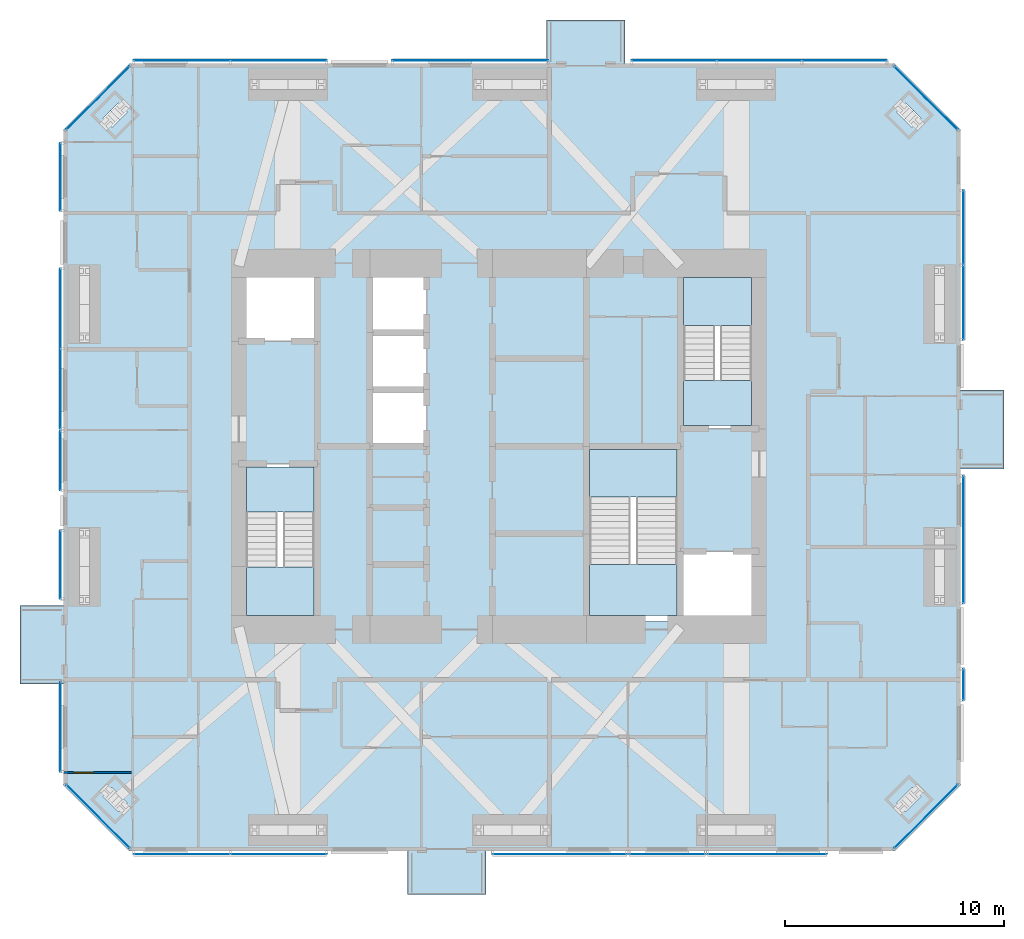
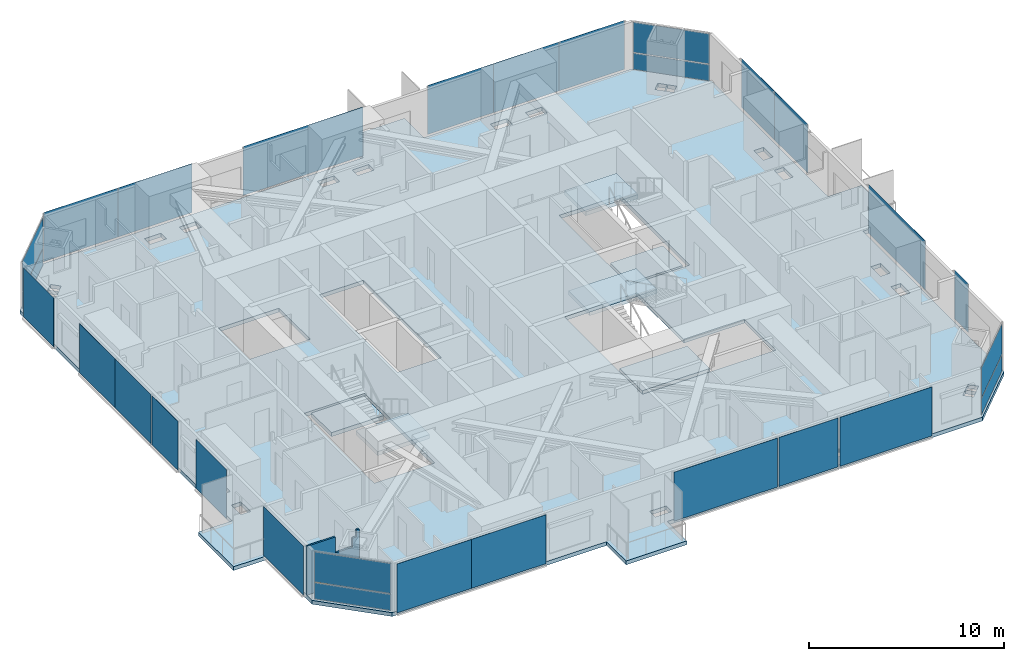
# One storey, part 14 of 22: 29 plates, 7 slabs, 1 door, 1 wall, 1 opening, 22 elements without a shape of their own.
"""IFC4 building model written with IfcOpenShell, lengths in metres."""

from ifc_helpers import new_model, si_unit, direction, frame, frame_2d, origin, origin_2d, place, context, subcontext, project, spatial, polyline, rectangle, outline, extrude, material, layer, layer_set, constituent, constituent_set, type_object, element, fill, aggregate, save


model = new_model("IFC4")

# Units and contexts
model_context = context("Model", 3, precision=1e-05, world=origin(), true_north=direction((0.0, 1.0)))
body_context = subcontext(model_context, "Body", "Model", "MODEL_VIEW")
ifc_project = project(units=[si_unit("LENGTHUNIT", "METRE"), si_unit("AREAUNIT", "SQUARE_METRE"), si_unit("VOLUMEUNIT", "CUBIC_METRE"), si_unit("PLANEANGLEUNIT", "RADIAN"), si_unit("MASSUNIT", "GRAM", prefix="KILO")], contexts=[model_context])

# Site, building, storey
site_placement = place(None, origin())
site = spatial("IfcSite", under=ifc_project, at=site_placement, CompositionType="ELEMENT")
building_placement = place(site_placement, origin())
building = spatial("IfcBuilding", under=site, at=building_placement, Name="Jalousie Tower", CompositionType="ELEMENT")
storey_placement = place(building_placement, frame((0.0, 0.0, 204.60009765625)))
storey = spatial("IfcBuildingStorey", under=building, at=storey_placement, Name="L56", CompositionType="ELEMENT", Elevation=204.60009765625)

# Curtain wall, plates
ifc_material_1 = material(Name="Aluminium curtain wall", Category="aluminium")
curtain_wall_type_1 = type_object("IfcCurtainWallType", Name="CORNER WINDOW WALL", PredefinedType="USERDEFINED", material=ifc_material_1)
curtain_wall_1_placement = place(storey_placement, origin())
curtain_wall_1 = element("IfcCurtainWall", 1, at=curtain_wall_1_placement, inside=storey, type_object=curtain_wall_type_1, Name="Corner Window Wall L56 2", ObjectType="CORNER WINDOW WALL", PredefinedType="USERDEFINED")
ifc_material_2 = material(Name="Laminated impact-rated spandrel glass", Category="glass")
ifc_layer_1 = layer(ifc_material_2, 0.028076171875)
ifc_layer_set_1 = layer_set([ifc_layer_1], Name="Laminated impact-rated spandrel glass")
plate_type_1 = type_object("IfcPlateType", Name="CORNER WINDOW WALL PANEL", PredefinedType="CURTAIN_PANEL", material=ifc_layer_set_1)
plate_1_placement = place(storey_placement, frame((51.4306640625, 1.5693359375, 0.06005859375), z_axis=(0.0, 0.0, 1.0), x_axis=(0.707106781187, 0.707106781187, 0.0)))
plate_1 = element("IfcPlate", 2, at=plate_1_placement, type_object=plate_type_1, Name="CW-C panel 1.1", PredefinedType="CURTAIN_PANEL", context=body_context, shape_type="SweptSolid", body=[
    extrude(rectangle(XDim=4.071533203125, YDim=0.028076171875, at=origin_2d()), origin(), (0.0, 0.0, 1.0), 1.010009765625),
])
plate_2_placement = place(storey_placement, frame((51.4306640625, 1.5693359375, 1.1298828125), z_axis=(0.0, 0.0, 1.0), x_axis=(0.707106781187, 0.707106781187, 0.0)))
plate_2 = element("IfcPlate", 3, at=plate_2_placement, type_object=plate_type_1, Name="CW-C panel 1.2", PredefinedType="CURTAIN_PANEL", context=body_context, shape_type="SweptSolid", body=[
    extrude(rectangle(XDim=4.071533203125, YDim=0.028076171875, at=origin_2d()), origin(), (0.0, 0.0, 1.0), 1.8798828125),
])
aggregate(curtain_wall_1, [plate_1, plate_2])

curtain_wall_2_placement = place(storey_placement, origin())
curtain_wall_2 = element("IfcCurtainWall", 4, at=curtain_wall_2_placement, inside=storey, type_object=curtain_wall_type_1, Name="Corner Window Wall L56 4", ObjectType="CORNER WINDOW WALL", PredefinedType="USERDEFINED")
plate_3_placement = place(storey_placement, frame((51.4306640625, 34.4306640625, 0.06005859375), z_axis=(0.0, 0.0, 1.0), x_axis=(-0.707106781187, 0.707106781187, 0.0)))
plate_3 = element("IfcPlate", 5, at=plate_3_placement, type_object=plate_type_1, Name="CW-C panel 1.1", PredefinedType="CURTAIN_PANEL", context=body_context, shape_type="SweptSolid", body=[
    extrude(rectangle(XDim=4.071533203125, YDim=0.028076171875, at=origin_2d()), origin(), (0.0, 0.0, 1.0), 1.010009765625),
])
plate_4_placement = place(storey_placement, frame((51.4306640625, 34.4306640625, 1.1298828125), z_axis=(0.0, 0.0, 1.0), x_axis=(-0.707106781187, 0.707106781187, 0.0)))
plate_4 = element("IfcPlate", 6, at=plate_4_placement, type_object=plate_type_1, Name="CW-C panel 1.2", PredefinedType="CURTAIN_PANEL", context=body_context, shape_type="SweptSolid", body=[
    extrude(rectangle(XDim=4.071533203125, YDim=0.028076171875, at=origin_2d()), origin(), (0.0, 0.0, 1.0), 1.8798828125),
])
aggregate(curtain_wall_2, [plate_3, plate_4])

curtain_wall_3_placement = place(storey_placement, origin())
curtain_wall_3 = element("IfcCurtainWall", 7, at=curtain_wall_3_placement, inside=storey, type_object=curtain_wall_type_1, Name="Corner Window Wall L56 6", ObjectType="CORNER WINDOW WALL", PredefinedType="USERDEFINED")
plate_5_placement = place(storey_placement, frame((13.5693359375, 34.4306640625, 0.06005859375), z_axis=(0.0, 0.0, 1.0), x_axis=(-0.707106781187, -0.707106781187, 0.0)))
plate_5 = element("IfcPlate", 8, at=plate_5_placement, type_object=plate_type_1, Name="CW-C panel 1.1", PredefinedType="CURTAIN_PANEL", context=body_context, shape_type="SweptSolid", body=[
    extrude(rectangle(XDim=4.071533203125, YDim=0.028076171875, at=origin_2d()), origin(), (0.0, 0.0, 1.0), 1.010009765625),
])
plate_6_placement = place(storey_placement, frame((13.5693359375, 34.4306640625, 1.1298828125), z_axis=(0.0, 0.0, 1.0), x_axis=(-0.707106781187, -0.707106781187, 0.0)))
plate_6 = element("IfcPlate", 9, at=plate_6_placement, type_object=plate_type_1, Name="CW-C panel 1.2", PredefinedType="CURTAIN_PANEL", context=body_context, shape_type="SweptSolid", body=[
    extrude(rectangle(XDim=4.071533203125, YDim=0.028076171875, at=origin_2d()), origin(), (0.0, 0.0, 1.0), 1.8798828125),
])
aggregate(curtain_wall_3, [plate_5, plate_6])

curtain_wall_4_placement = place(storey_placement, origin())
curtain_wall_4 = element("IfcCurtainWall", 10, at=curtain_wall_4_placement, inside=storey, type_object=curtain_wall_type_1, Name="Corner Window Wall L56 8", ObjectType="CORNER WINDOW WALL", PredefinedType="USERDEFINED")
plate_7_placement = place(storey_placement, frame((13.5693359375, 1.5693359375, 0.06005859375), z_axis=(0.0, 0.0, 1.0), x_axis=(0.707106781187, -0.707106781187, 0.0)))
plate_7 = element("IfcPlate", 11, at=plate_7_placement, type_object=plate_type_1, Name="CW-C panel 1.1", PredefinedType="CURTAIN_PANEL", context=body_context, shape_type="SweptSolid", body=[
    extrude(rectangle(XDim=4.071533203125, YDim=0.028076171875, at=origin_2d()), origin(), (0.0, 0.0, 1.0), 1.010009765625),
])
plate_8_placement = place(storey_placement, frame((13.5693359375, 1.5693359375, 1.1298828125), z_axis=(0.0, 0.0, 1.0), x_axis=(0.707106781187, -0.707106781187, 0.0)))
plate_8 = element("IfcPlate", 12, at=plate_8_placement, type_object=plate_type_1, Name="CW-C panel 1.2", PredefinedType="CURTAIN_PANEL", context=body_context, shape_type="SweptSolid", body=[
    extrude(rectangle(XDim=4.071533203125, YDim=0.028076171875, at=origin_2d()), origin(), (0.0, 0.0, 1.0), 1.8798828125),
])
aggregate(curtain_wall_4, [plate_7, plate_8])

# Slab
ifc_material_3 = material(Name="Concrete f'c 40 MPa", Category="concrete")
ifc_layer_2 = layer(ifc_material_3, 0.239990234375)
ifc_layer_set_2 = layer_set([ifc_layer_2], Name="Concrete f'c 40 MPa")
slab_type_1 = type_object("IfcSlabType", Name="FLOOR SLAB 240", PredefinedType="FLOOR", material=ifc_layer_set_2)
slab_1_placement = place(storey_placement, frame((0.0, 0.0, -0.239990234375)))
element("IfcSlab", 13, at=slab_1_placement, inside=storey, type_object=slab_type_1, Name="L56 floor slab", PredefinedType="FLOOR", context=body_context, shape_type="SweptSolid", body=[
    extrude(outline(polyline([(34.074951171875, 36.0), (34.074951171875, 38.0), (37.675048828125, 38.0), (37.675048828125, 36.0), (50.0, 36.0), (53.0, 33.0), (53.0, 21.074951171875), (55.0, 21.074951171875), (55.0, 17.47509765625), (53.0, 17.47509765625), (53.0, 3.0), (50.0, 0.0), (31.3125, 0.0), (31.3125, -2.0), (27.71240234375, -2.0), (27.71240234375, 0.0), (15.0, 0.0), (12.0, 3.0), (12.0, 7.625), (10.0, 7.625), (10.0, 11.22509765625), (12.0, 11.22509765625), (12.0, 33.0), (15.0, 36.0), (34.074951171875, 36.0)]), holes=[polyline([(52.336181640625, 25.54150390625), (52.336181640625, 26.52490234375), (51.763916015625, 26.52490234375), (51.763916015625, 25.54150390625), (52.336181640625, 25.54150390625)]), polyline([(51.763916015625, 23.47509765625), (52.336181640625, 23.47509765625), (52.336181640625, 24.45849609375), (51.763916015625, 24.45849609375), (51.763916015625, 23.47509765625)]), polyline([(51.763916015625, 13.54150390625), (52.336181640625, 13.54150390625), (52.336181640625, 14.52490234375), (51.763916015625, 14.52490234375), (51.763916015625, 13.54150390625)]), polyline([(51.763916015625, 11.47509765625), (52.336181640625, 11.47509765625), (52.336181640625, 12.45849609375), (51.763916015625, 12.45849609375), (51.763916015625, 11.47509765625)]), polyline([(50.856689453125, 33.851318359375), (50.451904296875, 33.446533203125), (50.802490234375, 33.095703125), (51.20751953125, 33.500244140625), (50.856689453125, 33.851318359375)]), polyline([(50.802490234375, 2.904296875), (50.451904296875, 2.553466796875), (50.856689453125, 2.148681640625), (51.20751953125, 2.499755859375), (50.802490234375, 2.904296875)]), polyline([(50.500244140625, 1.79248046875), (50.851318359375, 2.143310546875), (50.446533203125, 2.548095703125), (50.095703125, 2.197509765625), (50.500244140625, 1.79248046875)]), polyline([(50.446533203125, 33.451904296875), (50.851318359375, 33.856689453125), (50.500244140625, 34.20751953125), (50.095703125, 33.802490234375), (50.446533203125, 33.451904296875)]), polyline([(44.27490234375, 35.336181640625), (43.29150390625, 35.336181640625), (43.29150390625, 34.763916015625), (44.27490234375, 34.763916015625), (44.27490234375, 35.336181640625)]), polyline([(44.27490234375, 1.236083984375), (43.29150390625, 1.236083984375), (43.29150390625, 0.663818359375), (44.27490234375, 0.663818359375), (44.27490234375, 1.236083984375)]), polyline([(40.199951171875, 19.300048828125), (43.800048828125, 19.300048828125), (43.800048828125, 26.5), (40.199951171875, 26.5), (40.199951171875, 19.300048828125)]), polyline([(35.89990234375, 18.5), (35.89990234375, 10.5), (43.800048828125, 10.5), (43.800048828125, 13.699951171875), (40.199951171875, 13.699951171875), (40.199951171875, 18.5), (35.89990234375, 18.5)]), polyline([(42.20849609375, 34.763916015625), (42.20849609375, 35.336181640625), (41.22509765625, 35.336181640625), (41.22509765625, 34.763916015625), (42.20849609375, 34.763916015625)]), polyline([(41.22509765625, 0.663818359375), (42.20849609375, 0.663818359375), (42.20849609375, 1.236083984375), (41.22509765625, 1.236083984375), (41.22509765625, 0.663818359375)]), polyline([(33.04150390625, 35.336181640625), (33.04150390625, 34.763916015625), (34.02490234375, 34.763916015625), (34.02490234375, 35.336181640625), (33.04150390625, 35.336181640625)]), polyline([(33.04150390625, 1.236083984375), (33.04150390625, 0.663818359375), (34.02490234375, 0.663818359375), (34.02490234375, 1.236083984375), (33.04150390625, 1.236083984375)]), polyline([(31.95849609375, 34.763916015625), (31.95849609375, 35.336181640625), (30.97509765625, 35.336181640625), (30.97509765625, 34.763916015625), (31.95849609375, 34.763916015625)]), polyline([(31.95849609375, 0.663818359375), (31.95849609375, 1.236083984375), (30.97509765625, 1.236083984375), (30.97509765625, 0.663818359375), (31.95849609375, 0.663818359375)]), polyline([(28.60009765625, 18.5), (28.60009765625, 26.5), (26.0, 26.5), (26.0, 18.5), (28.60009765625, 18.5)]), polyline([(22.79150390625, 1.236083984375), (22.79150390625, 0.663818359375), (23.77490234375, 0.663818359375), (23.77490234375, 1.236083984375), (22.79150390625, 1.236083984375)]), polyline([(23.77490234375, 34.763916015625), (23.77490234375, 35.336181640625), (22.79150390625, 35.336181640625), (22.79150390625, 34.763916015625), (23.77490234375, 34.763916015625)]), polyline([(20.0, 23.300048828125), (23.60009765625, 23.300048828125), (23.60009765625, 26.5), (20.0, 26.5), (20.0, 23.300048828125)]), polyline([(20.0, 10.5), (23.60009765625, 10.5), (23.60009765625, 17.699951171875), (20.0, 17.699951171875), (20.0, 10.5)]), polyline([(20.72509765625, 35.336181640625), (20.72509765625, 34.763916015625), (21.70849609375, 34.763916015625), (21.70849609375, 35.336181640625), (20.72509765625, 35.336181640625)]), polyline([(20.72509765625, 1.236083984375), (20.72509765625, 0.663818359375), (21.70849609375, 0.663818359375), (21.70849609375, 1.236083984375), (20.72509765625, 1.236083984375)]), polyline([(14.553466796875, 33.451904296875), (14.904296875, 33.802490234375), (14.499755859375, 34.20751953125), (14.148681640625, 33.856689453125), (14.553466796875, 33.451904296875)]), polyline([(14.499755859375, 1.79248046875), (14.904296875, 2.197509765625), (14.553466796875, 2.548095703125), (14.148681640625, 2.143310546875), (14.499755859375, 1.79248046875)]), polyline([(14.143310546875, 33.851318359375), (13.79248046875, 33.500244140625), (14.197509765625, 33.095703125), (14.548095703125, 33.446533203125), (14.143310546875, 33.851318359375)]), polyline([(14.143310546875, 2.148681640625), (14.548095703125, 2.553466796875), (14.197509765625, 2.904296875), (13.79248046875, 2.499755859375), (14.143310546875, 2.148681640625)]), polyline([(12.663818359375, 11.47509765625), (13.236083984375, 11.47509765625), (13.236083984375, 12.45849609375), (12.663818359375, 12.45849609375), (12.663818359375, 11.47509765625)]), polyline([(13.236083984375, 24.45849609375), (12.663818359375, 24.45849609375), (12.663818359375, 23.47509765625), (13.236083984375, 23.47509765625), (13.236083984375, 24.45849609375)]), polyline([(12.663818359375, 25.54150390625), (13.236083984375, 25.54150390625), (13.236083984375, 26.52490234375), (12.663818359375, 26.52490234375), (12.663818359375, 25.54150390625)]), polyline([(13.236083984375, 13.54150390625), (13.236083984375, 14.52490234375), (12.663818359375, 14.52490234375), (12.663818359375, 13.54150390625), (13.236083984375, 13.54150390625)])]), origin(), (0.0, 0.0, 1.0), 0.239990234375),
])

# Curtain wall, plates
ifc_material_4 = material(Name="Perforated aluminium sheet", Category="aluminium")
curtain_wall_type_2 = type_object("IfcCurtainWallType", Name="SOLAR SCREEN SS-1", PredefinedType="USERDEFINED", material=ifc_material_4)
curtain_wall_5_placement = place(storey_placement, origin())
curtain_wall_5 = element("IfcCurtainWall", 14, at=curtain_wall_5_placement, inside=storey, type_object=curtain_wall_type_2, Name="Solar screen L56", ObjectType="SOLAR SCREEN SS-1", PredefinedType="USERDEFINED")
ifc_material_5 = material(Name="Perforated aluminium sheet", Category="aluminium")
ifc_layer_3 = layer(ifc_material_5, 0.006103515625)
ifc_layer_set_3 = layer_set([ifc_layer_3], Name="Perforated aluminium sheet")
plate_type_2 = type_object("IfcPlateType", Name="SOLAR SCREEN SS-1 PANEL", PredefinedType="CURTAIN_PANEL", material=ifc_layer_set_3)
plate_9_placement = place(storey_placement, frame((17.40625, -0.150390625, 0.0), z_axis=(0.0, 0.0, 1.0), x_axis=(1.0, 0.0, 0.0)))
plate_9 = element("IfcPlate", 15, at=plate_9_placement, type_object=plate_type_2, Name="SS1 perforated panel 1", PredefinedType="CURTAIN_PANEL", context=body_context, shape_type="SweptSolid", body=[
    extrude(rectangle(XDim=4.41259765625, YDim=0.006103515625, at=origin_2d()), origin(), (0.0, 0.0, 1.0), 3.070068359375),
])
plate_10_placement = place(storey_placement, frame((21.818603515625, -0.150390625, 0.0), z_axis=(0.0, 0.0, 1.0), x_axis=(1.0, 0.0, 0.0)))
plate_10 = element("IfcPlate", 16, at=plate_10_placement, type_object=plate_type_2, Name="SS1 perforated panel 2", PredefinedType="CURTAIN_PANEL", context=body_context, shape_type="SweptSolid", body=[
    extrude(rectangle(XDim=4.41259765625, YDim=0.006103515625, at=origin_2d()), origin(), (0.0, 0.0, 1.0), 3.070068359375),
])
aggregate(curtain_wall_5, [plate_9, plate_10])

# Curtain wall, plate
curtain_wall_6_placement = place(storey_placement, origin())
curtain_wall_6 = element("IfcCurtainWall", 17, at=curtain_wall_6_placement, inside=storey, type_object=curtain_wall_type_2, Name="Solar screen L56", ObjectType="SOLAR SCREEN SS-1", PredefinedType="USERDEFINED")
plate_11_placement = place(storey_placement, frame((34.68115234375, -0.150390625, 0.0), z_axis=(0.0, 0.0, 1.0), x_axis=(1.0, 0.0, 0.0)))
plate_11 = element("IfcPlate", 18, at=plate_11_placement, type_object=plate_type_2, Name="SS1 perforated panel 1", PredefinedType="CURTAIN_PANEL", context=body_context, shape_type="SweptSolid", body=[
    extrude(rectangle(XDim=6.137451171875, YDim=0.006103515625, at=origin_2d()), origin(), (0.0, 0.0, 1.0), 3.070068359375),
])
aggregate(curtain_wall_6, [plate_11])

curtain_wall_7_placement = place(storey_placement, origin())
curtain_wall_7 = element("IfcCurtainWall", 19, at=curtain_wall_7_placement, inside=storey, type_object=curtain_wall_type_2, Name="Solar screen L56", ObjectType="SOLAR SCREEN SS-1", PredefinedType="USERDEFINED")
plate_12_placement = place(storey_placement, frame((39.60009765625, -0.150390625, 0.0), z_axis=(0.0, 0.0, 1.0), x_axis=(1.0, 0.0, 0.0)))
plate_12 = element("IfcPlate", 20, at=plate_12_placement, type_object=plate_type_2, Name="SS1 perforated panel 1", PredefinedType="CURTAIN_PANEL", context=body_context, shape_type="SweptSolid", body=[
    extrude(rectangle(XDim=3.5, YDim=0.006103515625, at=origin_2d()), origin(), (0.0, 0.0, 1.0), 3.070068359375),
])
aggregate(curtain_wall_7, [plate_12])

curtain_wall_8_placement = place(storey_placement, origin())
curtain_wall_8 = element("IfcCurtainWall", 21, at=curtain_wall_8_placement, inside=storey, type_object=curtain_wall_type_2, Name="Solar screen L56", ObjectType="SOLAR SCREEN SS-1", PredefinedType="USERDEFINED")
plate_13_placement = place(storey_placement, frame((44.175048828125, -0.150390625, 0.0), z_axis=(0.0, 0.0, 1.0), x_axis=(1.0, 0.0, 0.0)))
plate_13 = element("IfcPlate", 22, at=plate_13_placement, type_object=plate_type_2, Name="SS1 perforated panel 1", PredefinedType="CURTAIN_PANEL", context=body_context, shape_type="SweptSolid", body=[
    extrude(rectangle(XDim=5.449951171875, YDim=0.006103515625, at=origin_2d()), origin(), (0.0, 0.0, 1.0), 3.070068359375),
])
aggregate(curtain_wall_8, [plate_13])

curtain_wall_9_placement = place(storey_placement, origin())
curtain_wall_9 = element("IfcCurtainWall", 23, at=curtain_wall_9_placement, inside=storey, type_object=curtain_wall_type_2, Name="Solar screen L56", ObjectType="SOLAR SCREEN SS-1", PredefinedType="USERDEFINED")
plate_14_placement = place(storey_placement, frame((53.150390625, 7.60498046875, 0.0), z_axis=(0.0, 0.0, 1.0), x_axis=(0.0, 1.0, 0.0)))
plate_14 = element("IfcPlate", 24, at=plate_14_placement, type_object=plate_type_2, Name="SS1 perforated panel 1", PredefinedType="CURTAIN_PANEL", context=body_context, shape_type="SweptSolid", body=[
    extrude(rectangle(XDim=1.43359375, YDim=0.006103515625, at=origin_2d()), origin(), (0.0, 0.0, 1.0), 3.070068359375),
])
aggregate(curtain_wall_9, [plate_14])

curtain_wall_10_placement = place(storey_placement, origin())
curtain_wall_10 = element("IfcCurtainWall", 25, at=curtain_wall_10_placement, inside=storey, type_object=curtain_wall_type_2, Name="Solar screen L56", ObjectType="SOLAR SCREEN SS-1", PredefinedType="USERDEFINED")
plate_15_placement = place(storey_placement, frame((53.150390625, 14.23583984375, 0.0), z_axis=(0.0, 0.0, 1.0), x_axis=(0.0, 1.0, 0.0)))
plate_15 = element("IfcPlate", 26, at=plate_15_placement, type_object=plate_type_2, Name="SS1 perforated panel 1", PredefinedType="CURTAIN_PANEL", context=body_context, shape_type="SweptSolid", body=[
    extrude(rectangle(XDim=5.828125, YDim=0.006103515625, at=origin_2d()), origin(), (0.0, 0.0, 1.0), 3.070068359375),
])
aggregate(curtain_wall_10, [plate_15])

# Curtain wall, plates
curtain_wall_11_placement = place(storey_placement, origin())
curtain_wall_11 = element("IfcCurtainWall", 27, at=curtain_wall_11_placement, inside=storey, type_object=curtain_wall_type_2, Name="Solar screen L56", ObjectType="SOLAR SCREEN SS-1", PredefinedType="USERDEFINED")
plate_16_placement = place(storey_placement, frame((53.150390625, 25.084228515625, 0.0), z_axis=(0.0, 0.0, 1.0), x_axis=(0.0, 1.0, 0.0)))
plate_16 = element("IfcPlate", 28, at=plate_16_placement, type_object=plate_type_2, Name="SS1 perforated panel 1", PredefinedType="CURTAIN_PANEL", context=body_context, shape_type="SweptSolid", body=[
    extrude(rectangle(XDim=3.41845703125, YDim=0.006103515625, at=origin_2d()), origin(), (0.0, 0.0, 1.0), 3.070068359375),
])
plate_17_placement = place(storey_placement, frame((53.150390625, 28.502685546875, 0.0), z_axis=(0.0, 0.0, 1.0), x_axis=(0.0, 1.0, 0.0)))
plate_17 = element("IfcPlate", 29, at=plate_17_placement, type_object=plate_type_2, Name="SS1 perforated panel 2", PredefinedType="CURTAIN_PANEL", context=body_context, shape_type="SweptSolid", body=[
    extrude(rectangle(XDim=3.41845703125, YDim=0.006103515625, at=origin_2d()), origin(), (0.0, 0.0, 1.0), 3.070068359375),
])
aggregate(curtain_wall_11, [plate_16, plate_17])

curtain_wall_12_placement = place(storey_placement, origin())
curtain_wall_12 = element("IfcCurtainWall", 30, at=curtain_wall_12_placement, inside=storey, type_object=curtain_wall_type_2, Name="Solar screen L56", ObjectType="SOLAR SCREEN SS-1", PredefinedType="USERDEFINED")
plate_18_placement = place(storey_placement, frame((47.703125, 36.150390625, 0.0), z_axis=(0.0, 0.0, 1.0), x_axis=(-1.0, 0.0, 0.0)))
plate_18 = element("IfcPlate", 31, at=plate_18_placement, type_object=plate_type_2, Name="SS1 perforated panel 1", PredefinedType="CURTAIN_PANEL", context=body_context, shape_type="SweptSolid", body=[
    extrude(rectangle(XDim=3.89111328125, YDim=0.006103515625, at=origin_2d()), origin(), (0.0, 0.0, 1.0), 3.070068359375),
])
plate_19_placement = place(storey_placement, frame((43.811767578125, 36.150390625, 0.0), z_axis=(0.0, 0.0, 1.0), x_axis=(-1.0, 0.0, 0.0)))
plate_19 = element("IfcPlate", 32, at=plate_19_placement, type_object=plate_type_2, Name="SS1 perforated panel 2", PredefinedType="CURTAIN_PANEL", context=body_context, shape_type="SweptSolid", body=[
    extrude(rectangle(XDim=3.89111328125, YDim=0.006103515625, at=origin_2d()), origin(), (0.0, 0.0, 1.0), 3.070068359375),
])
plate_20_placement = place(storey_placement, frame((39.920654296875, 36.150390625, 0.0), z_axis=(0.0, 0.0, 1.0), x_axis=(-1.0, 0.0, 0.0)))
plate_20 = element("IfcPlate", 33, at=plate_20_placement, type_object=plate_type_2, Name="SS1 perforated panel 3", PredefinedType="CURTAIN_PANEL", context=body_context, shape_type="SweptSolid", body=[
    extrude(rectangle(XDim=3.89111328125, YDim=0.006103515625, at=origin_2d()), origin(), (0.0, 0.0, 1.0), 3.070068359375),
])
aggregate(curtain_wall_12, [plate_18, plate_19, plate_20])

# Curtain wall, plate
curtain_wall_13_placement = place(storey_placement, origin())
curtain_wall_13 = element("IfcCurtainWall", 34, at=curtain_wall_13_placement, inside=storey, type_object=curtain_wall_type_2, Name="Solar screen L56", ObjectType="SOLAR SCREEN SS-1", PredefinedType="USERDEFINED")
plate_21_placement = place(storey_placement, frame((30.58740234375, 36.150390625, 0.0), z_axis=(0.0, 0.0, 1.0), x_axis=(-1.0, 0.0, 0.0)))
plate_21 = element("IfcPlate", 35, at=plate_21_placement, type_object=plate_type_2, Name="SS1 perforated panel 1", PredefinedType="CURTAIN_PANEL", context=body_context, shape_type="SweptSolid", body=[
    extrude(rectangle(XDim=7.125, YDim=0.006103515625, at=origin_2d()), origin(), (0.0, 0.0, 1.0), 3.070068359375),
])
aggregate(curtain_wall_13, [plate_21])

# Curtain wall, plates
curtain_wall_14_placement = place(storey_placement, origin())
curtain_wall_14 = element("IfcCurtainWall", 36, at=curtain_wall_14_placement, inside=storey, type_object=curtain_wall_type_2, Name="Solar screen L56", ObjectType="SOLAR SCREEN SS-1", PredefinedType="USERDEFINED")
plate_22_placement = place(storey_placement, frame((21.818603515625, 36.150390625, 0.0), z_axis=(0.0, 0.0, 1.0), x_axis=(-1.0, 0.0, 0.0)))
plate_22 = element("IfcPlate", 37, at=plate_22_placement, type_object=plate_type_2, Name="SS1 perforated panel 1", PredefinedType="CURTAIN_PANEL", context=body_context, shape_type="SweptSolid", body=[
    extrude(rectangle(XDim=4.41259765625, YDim=0.006103515625, at=origin_2d()), origin(), (0.0, 0.0, 1.0), 3.070068359375),
])
plate_23_placement = place(storey_placement, frame((17.40625, 36.150390625, 0.0), z_axis=(0.0, 0.0, 1.0), x_axis=(-1.0, 0.0, 0.0)))
plate_23 = element("IfcPlate", 38, at=plate_23_placement, type_object=plate_type_2, Name="SS1 perforated panel 2", PredefinedType="CURTAIN_PANEL", context=body_context, shape_type="SweptSolid", body=[
    extrude(rectangle(XDim=4.41259765625, YDim=0.006103515625, at=origin_2d()), origin(), (0.0, 0.0, 1.0), 3.070068359375),
])
aggregate(curtain_wall_14, [plate_22, plate_23])

# Curtain wall, plate
curtain_wall_15_placement = place(storey_placement, origin())
curtain_wall_15 = element("IfcCurtainWall", 39, at=curtain_wall_15_placement, inside=storey, type_object=curtain_wall_type_2, Name="Solar screen L56", ObjectType="SOLAR SCREEN SS-1", PredefinedType="USERDEFINED")
plate_24_placement = place(storey_placement, frame((11.849609375, 30.822509765625, 0.0), z_axis=(0.0, 0.0, 1.0), x_axis=(0.0, -1.0, 0.0)))
plate_24 = element("IfcPlate", 40, at=plate_24_placement, type_object=plate_type_2, Name="SS1 perforated panel 1", PredefinedType="CURTAIN_PANEL", context=body_context, shape_type="SweptSolid", body=[
    extrude(rectangle(XDim=3.09521484375, YDim=0.006103515625, at=origin_2d()), origin(), (0.0, 0.0, 1.0), 3.070068359375),
])
aggregate(curtain_wall_15, [plate_24])

# Curtain wall, plates
curtain_wall_16_placement = place(storey_placement, origin())
curtain_wall_16 = element("IfcCurtainWall", 41, at=curtain_wall_16_placement, inside=storey, type_object=curtain_wall_type_2, Name="Solar screen L56", ObjectType="SOLAR SCREEN SS-1", PredefinedType="USERDEFINED")
plate_25_placement = place(storey_placement, frame((11.849609375, 24.793701171875, 0.0), z_axis=(0.0, 0.0, 1.0), x_axis=(0.0, -1.0, 0.0)))
plate_25 = element("IfcPlate", 42, at=plate_25_placement, type_object=plate_type_2, Name="SS1 perforated panel 1", PredefinedType="CURTAIN_PANEL", context=body_context, shape_type="SweptSolid", body=[
    extrude(rectangle(XDim=3.66259765625, YDim=0.006103515625, at=origin_2d()), origin(), (0.0, 0.0, 1.0), 3.070068359375),
])
plate_26_placement = place(storey_placement, frame((11.849609375, 21.13134765625, 0.0), z_axis=(0.0, 0.0, 1.0), x_axis=(0.0, -1.0, 0.0)))
plate_26 = element("IfcPlate", 43, at=plate_26_placement, type_object=plate_type_2, Name="SS1 perforated panel 2", PredefinedType="CURTAIN_PANEL", context=body_context, shape_type="SweptSolid", body=[
    extrude(rectangle(XDim=3.66259765625, YDim=0.006103515625, at=origin_2d()), origin(), (0.0, 0.0, 1.0), 3.070068359375),
])
aggregate(curtain_wall_16, [plate_25, plate_26])

# Curtain wall, plate
curtain_wall_17_placement = place(storey_placement, origin())
curtain_wall_17 = element("IfcCurtainWall", 44, at=curtain_wall_17_placement, inside=storey, type_object=curtain_wall_type_2, Name="Solar screen L56", ObjectType="SOLAR SCREEN SS-1", PredefinedType="USERDEFINED")
plate_27_placement = place(storey_placement, frame((11.849609375, 17.85009765625, 0.0), z_axis=(0.0, 0.0, 1.0), x_axis=(0.0, -1.0, 0.0)))
plate_27 = element("IfcPlate", 45, at=plate_27_placement, type_object=plate_type_2, Name="SS1 perforated panel 1", PredefinedType="CURTAIN_PANEL", context=body_context, shape_type="SweptSolid", body=[
    extrude(rectangle(XDim=2.699951171875, YDim=0.006103515625, at=origin_2d()), origin(), (0.0, 0.0, 1.0), 3.070068359375),
])
aggregate(curtain_wall_17, [plate_27])

curtain_wall_18_placement = place(storey_placement, origin())
curtain_wall_18 = element("IfcCurtainWall", 46, at=curtain_wall_18_placement, inside=storey, type_object=curtain_wall_type_2, Name="Solar screen L56", ObjectType="SOLAR SCREEN SS-1", PredefinedType="USERDEFINED")
plate_28_placement = place(storey_placement, frame((11.849609375, 13.08740234375, 0.0), z_axis=(0.0, 0.0, 1.0), x_axis=(0.0, -1.0, 0.0)))
plate_28 = element("IfcPlate", 47, at=plate_28_placement, type_object=plate_type_2, Name="SS1 perforated panel 1", PredefinedType="CURTAIN_PANEL", context=body_context, shape_type="SweptSolid", body=[
    extrude(rectangle(XDim=3.12451171875, YDim=0.006103515625, at=origin_2d()), origin(), (0.0, 0.0, 1.0), 3.070068359375),
])
aggregate(curtain_wall_18, [plate_28])

curtain_wall_19_placement = place(storey_placement, origin())
curtain_wall_19 = element("IfcCurtainWall", 48, at=curtain_wall_19_placement, inside=storey, type_object=curtain_wall_type_2, Name="Solar screen L56", ObjectType="SOLAR SCREEN SS-1", PredefinedType="USERDEFINED")
plate_29_placement = place(storey_placement, frame((11.849609375, 5.677490234375, 0.0), z_axis=(0.0, 0.0, 1.0), x_axis=(0.0, -1.0, 0.0)))
plate_29 = element("IfcPlate", 49, at=plate_29_placement, type_object=plate_type_2, Name="SS1 perforated panel 1", PredefinedType="CURTAIN_PANEL", context=body_context, shape_type="SweptSolid", body=[
    extrude(rectangle(XDim=4.09521484375, YDim=0.006103515625, at=origin_2d()), origin(), (0.0, 0.0, 1.0), 3.070068359375),
])
aggregate(curtain_wall_19, [plate_29])

# Stair, slabs
ifc_material_6 = material(Name="Concrete f'c 40 MPa", Category="concrete")
stair_type = type_object("IfcStairType", Name="EXIT STAIR", PredefinedType="HALF_TURN_STAIR", material=ifc_material_6)
stair_1_placement = place(storey_placement, origin())
stair_1 = element("IfcStair", 50, at=stair_1_placement, inside=storey, type_object=stair_type, Name="Exit stair A L56", PredefinedType="HALF_TURN_STAIR")
ifc_material_7 = material(Name="Concrete f'c 40 MPa", Category="concrete")
ifc_layer_4 = layer(ifc_material_7, 0.25)
ifc_layer_set_4 = layer_set([ifc_layer_4], Name="Concrete f'c 40 MPa")
slab_type_2 = type_object("IfcSlabType", Name="STAIR LANDING 250", PredefinedType="LANDING", material=ifc_layer_set_4)
slab_2_placement = place(storey_placement, frame((0.0, 0.0, -0.25)))
slab_2 = element("IfcSlab", 51, at=slab_2_placement, type_object=slab_type_2, Name="ST-A landing 1", PredefinedType="LANDING", context=body_context, shape_type="SweptSolid", body=[
    extrude(outline(polyline([(20.35009765625, 15.49755859375), (23.449951171875, 15.49755859375), (23.449951171875, 17.550048828125), (20.35009765625, 17.550048828125), (20.35009765625, 15.49755859375)])), origin(), (0.0, 0.0, 1.0), 0.25),
])
slab_3_placement = place(storey_placement, frame((0.0, 0.0, 1.4248046875)))
slab_3 = element("IfcSlab", 52, at=slab_3_placement, type_object=slab_type_2, Name="ST-A landing 2", PredefinedType="LANDING", context=body_context, shape_type="SweptSolid", body=[
    extrude(outline(polyline([(20.35009765625, 10.77490234375), (23.449951171875, 10.77490234375), (23.449951171875, 12.9775390625), (20.35009765625, 12.9775390625), (20.35009765625, 10.77490234375)])), origin(), (0.0, 0.0, 1.0), 0.25),
])
aggregate(stair_1, [slab_2, slab_3])

stair_2_placement = place(storey_placement, origin())
stair_2 = element("IfcStair", 53, at=stair_2_placement, inside=storey, type_object=stair_type, Name="Exit stair B L56", PredefinedType="HALF_TURN_STAIR")
slab_4_placement = place(storey_placement, frame((0.0, 0.0, -0.25)))
slab_4 = element("IfcSlab", 54, at=slab_4_placement, type_object=slab_type_2, Name="ST-B landing 1", PredefinedType="LANDING", context=body_context, shape_type="SweptSolid", body=[
    extrude(outline(polyline([(40.35009765625, 19.449951171875), (43.449951171875, 19.449951171875), (43.449951171875, 21.50244140625), (40.35009765625, 21.50244140625), (40.35009765625, 19.449951171875)])), origin(), (0.0, 0.0, 1.0), 0.25),
])
slab_5_placement = place(storey_placement, frame((0.0, 0.0, 1.4248046875)))
slab_5 = element("IfcSlab", 55, at=slab_5_placement, type_object=slab_type_2, Name="ST-B landing 2", PredefinedType="LANDING", context=body_context, shape_type="SweptSolid", body=[
    extrude(outline(polyline([(40.35009765625, 24.0224609375), (43.449951171875, 24.0224609375), (43.449951171875, 26.22509765625), (40.35009765625, 26.22509765625), (40.35009765625, 24.0224609375)])), origin(), (0.0, 0.0, 1.0), 0.25),
])
aggregate(stair_2, [slab_4, slab_5])

stair_3_placement = place(storey_placement, origin())
stair_3 = element("IfcStair", 56, at=stair_3_placement, inside=storey, type_object=stair_type, Name="Exit stair C L56", PredefinedType="HALF_TURN_STAIR")
slab_6_placement = place(storey_placement, frame((0.0, 0.0, -0.25)))
slab_6 = element("IfcSlab", 57, at=slab_6_placement, type_object=slab_type_2, Name="ST-C landing 1", PredefinedType="LANDING", context=body_context, shape_type="SweptSolid", body=[
    extrude(outline(polyline([(36.050048828125, 10.77490234375), (40.050048828125, 10.77490234375), (40.050048828125, 13.097412109375), (36.050048828125, 13.097412109375), (36.050048828125, 10.77490234375)])), origin(), (0.0, 0.0, 1.0), 0.25),
])
slab_7_placement = place(storey_placement, frame((0.0, 0.0, 1.4248046875)))
slab_7 = element("IfcSlab", 58, at=slab_7_placement, type_object=slab_type_2, Name="ST-C landing 2", PredefinedType="LANDING", context=body_context, shape_type="SweptSolid", body=[
    extrude(outline(polyline([(36.050048828125, 16.177490234375), (40.050048828125, 16.177490234375), (40.050048828125, 18.35009765625), (36.050048828125, 18.35009765625), (36.050048828125, 16.177490234375)])), origin(), (0.0, 0.0, 1.0), 0.25),
])
aggregate(stair_3, [slab_6, slab_7])

# Wall, opening, door
ifc_material_8 = material(Name="Gypsum board", Category="gypsum")
ifc_constituent_1 = constituent(ifc_material_8, Name="Body")
ifc_material_9 = material(Name="Light-gauge steel studs ASTM A653 SS Grade 33", Category="steel")
ifc_constituent_2 = constituent(ifc_material_9, Name="Framing")
ifc_constituent_set = constituent_set(constituents=[ifc_constituent_1, ifc_constituent_2])
wall_type = type_object("IfcWallType", Name="PARTITION 100", PredefinedType="PARTITIONING", material=ifc_constituent_set)
wall_placement = place(storey_placement, frame((12.0, 3.579833984375, 0.0), z_axis=(0.0, 0.0, 1.0), x_axis=(1.0, 0.0, 0.0)))
wall = element("IfcWall", 59, at=wall_placement, inside=storey, type_object=wall_type, Name="Partition 100 L56", PredefinedType="PARTITIONING", context=body_context, shape_type="SweptSolid", body=[
    extrude(outline(polyline([(0.0, 0.0), (3.10009765625, 0.0), (3.10009765625, 3.06982421875), (2.930908203125, 3.06982421875), (2.930908203125, 2.693603515625), (2.919921875, 2.637939453125), (2.69775390625, 2.628173828125), (2.69775390625, 2.06982421875), (1.676025390625, 2.06982421875), (1.676025390625, 3.06982421875), (0.0, 3.06982421875), (0.0, 0.0)])), frame((0.0, 0.050048828125, 0.0), z_axis=(0.0, -1.0, 0.0), x_axis=(1.0, 0.0, 0.0)), (0.0, 0.0, 1.0), 0.10009765625),
])
opening_placement = place(wall_placement, frame((0.449951171875, 0.0, 0.0)))
opening = element("IfcOpeningElement", 60, at=opening_placement, cuts=wall, Name="Opening D7", PredefinedType="OPENING", context=body_context, shape_type="SweptSolid", body=[
    extrude(rectangle(XDim=0.89990234375, YDim=2.10009765625, at=frame_2d((0.449951171875, 1.050048828125))), frame((0.0, 0.06005859375, 0.0), z_axis=(0.0, -1.0, 0.0), x_axis=(1.0, 0.0, 0.0)), (0.0, 0.0, 1.0), 0.1201171875),
])
ifc_material_10 = material(Name="Timber door", Category="wood")
door_type = type_object("IfcDoorType", Name="INTERNAL DOOR 900", OperationType="SINGLE_SWING_LEFT", PredefinedType="DOOR", material=ifc_material_10)
door_placement = place(opening_placement, origin())
door = element("IfcDoor", 61, at=door_placement, inside=storey, type_object=door_type, Name="Apartment 5601 bedroom 1 dressing hall door", OperationType="SINGLE_SWING_LEFT", OverallHeight=2.10009765625, OverallWidth=0.89990234375, PredefinedType="DOOR", context=body_context, shape_type="SweptSolid", body=[
    extrude(rectangle(XDim=0.89990234375, YDim=2.10009765625, at=frame_2d((0.449951171875, 1.050048828125))), frame((0.0, 0.02490234375, 0.0), z_axis=(0.0, -1.0, 0.0), x_axis=(1.0, 0.0, 0.0)), (0.0, 0.0, 1.0), 0.050048828125),
])
fill(opening, door)

save(model, "model.ifc")
